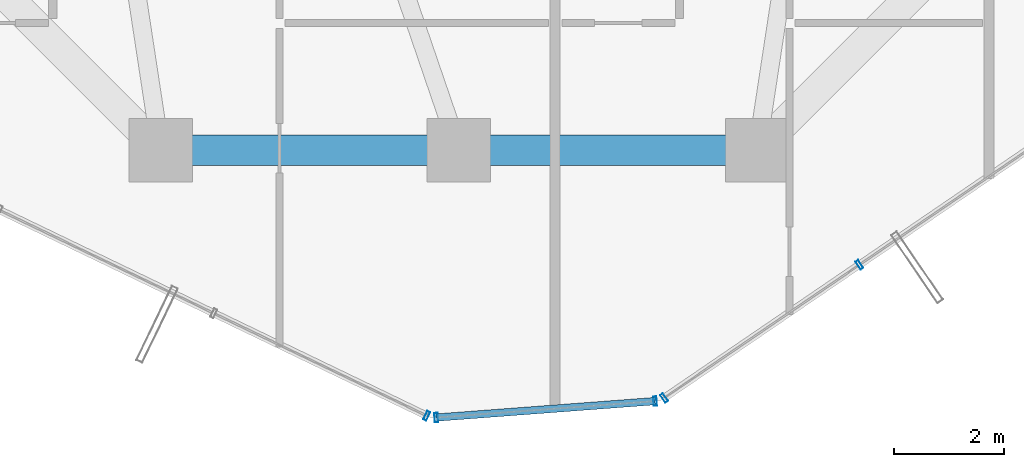
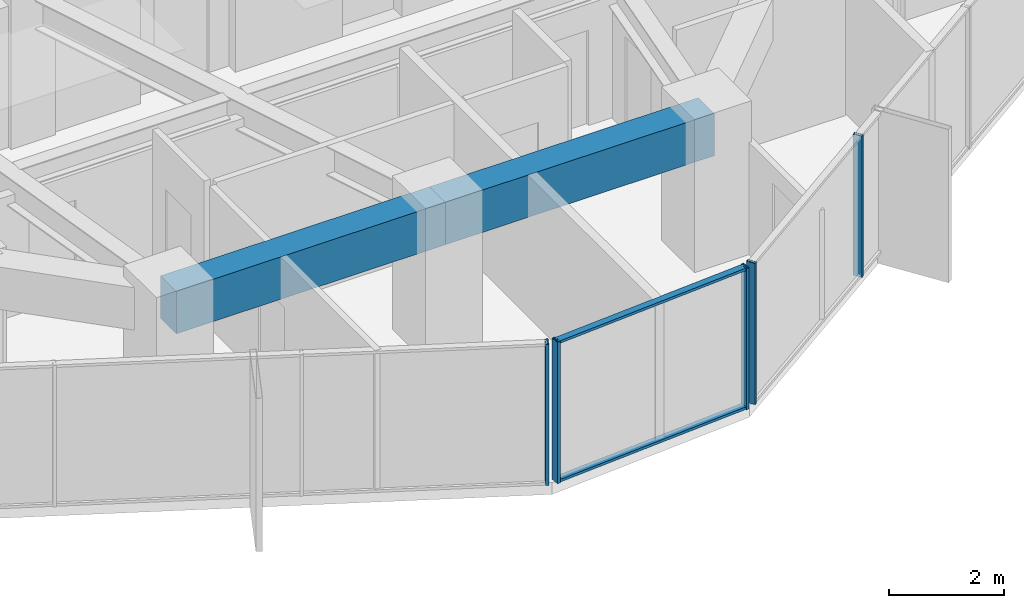
# One storey, part 7 of 35: 7 members, 2 beams, 3 elements without a shape of their own.
"""IFC4 building model written with IfcOpenShell, lengths in metres."""

from ifc_helpers import new_model, si_unit, direction, frame, origin, origin_2d, place, context, subcontext, project, spatial, rectangle, hollow_rectangle, extrude, source, transform, mapped, material, layer, layer_set, material_profile, profile_set, type_object, element, aggregate, save


model = new_model("IFC4")

# Units and contexts
model_context = context("Model", 3, precision=1e-05, world=origin(), true_north=direction((0.0, 1.0)))
body_context = subcontext(model_context, "Body", "Model", "MODEL_VIEW")
ifc_project = project(units=[si_unit("LENGTHUNIT", "METRE"), si_unit("AREAUNIT", "SQUARE_METRE"), si_unit("VOLUMEUNIT", "CUBIC_METRE"), si_unit("PLANEANGLEUNIT", "RADIAN"), si_unit("MASSUNIT", "GRAM", prefix="KILO")], contexts=[model_context])

# Site, building, storey
site_placement = place(None, origin())
site = spatial("IfcSite", under=ifc_project, at=site_placement, CompositionType="ELEMENT")
building_placement = place(site_placement, origin())
building = spatial("IfcBuilding", under=site, at=building_placement, Name="Veraguas Prism Commons", CompositionType="ELEMENT")
storey_placement = place(building_placement, frame((0.0, 0.0, 142.5)))
storey = spatial("IfcBuildingStorey", under=building, at=storey_placement, Name="L40", CompositionType="ELEMENT", Elevation=142.5)

# Beams
ifc_material_1 = material(Name="Concrete C50/60", Category="concrete")
ifc_material_profile_1 = material_profile(ifc_material_1, rectangle(XDim=0.550048828125, YDim=0.89990234375, at=origin_2d()), Name="RC550X900")
ifc_profile_set_1 = profile_set([ifc_material_profile_1], Name="Concrete C50/60")
beam_type = type_object("IfcBeamType", Name="Perimeter Spandrel Lower RC 550x900", PredefinedType="SPANDREL", material=ifc_profile_set_1)
for number, where, z_axis, x_axis, name in (
    (1, (18.60009765625, 7.800048828125, 2.550048828125), (1.0, 0.0, 0.0), (0.0, 1.0, 0.0), "Perimeter Spandrel Beam L40-SP10"),
    (2, (24.0, 7.800048828125, 2.550048828125), (1.0, 0.0, 0.0), (0.0, 1.0, 0.0), "Perimeter Spandrel Beam L40-SP11"),
):
    element("IfcBeam", number, at=place(storey_placement, frame(where, z_axis=z_axis, x_axis=x_axis)), inside=storey, type_object=beam_type, Name=name, PredefinedType="SPANDREL", context=body_context, shape_type="SweptSolid", body=[
        extrude(rectangle(XDim=0.550048828125, YDim=0.89990234375, at=origin_2d()), origin(), (0.0, 0.0, 1.0), 5.39990234375),
    ])

# Curtain wall, member
ifc_material_2 = material(Name="Anodised aluminium EN AW-6063 T6", Category="aluminium")
ifc_layer = layer(ifc_material_2, 0.169921875, Name="Unitised Flush Curtain Wall Zone 2", Category="aluminium")
ifc_layer_set = layer_set([ifc_layer], Name="Anodised aluminium EN AW-6063 T6")
curtain_wall_type = type_object("IfcCurtainWallType", Name="Unitised Flush Curtain Wall Zone 2", PredefinedType="NOTDEFINED", material=ifc_layer_set)
curtain_wall_1_placement = place(storey_placement, origin())
curtain_wall_1 = element("IfcCurtainWall", 3, at=curtain_wall_1_placement, inside=storey, type_object=curtain_wall_type, Name="Tower Facade Curtain Wall L40-F4", PredefinedType="NOTDEFINED")
ifc_material_profile_2 = material_profile(ifc_material_2, hollow_rectangle(XDim=0.06005859375, YDim=0.169921875, WallThickness=0.00390625, at=origin_2d()), Name="AL60X170X4")
ifc_profile_set_2 = profile_set([ifc_material_profile_2], Name="Anodised aluminium EN AW-6063 T6")
member_type_1 = type_object("IfcMemberType", Name="Curtain Wall Mullion Lower AL 60x170x4", PredefinedType="MULLION", material=ifc_profile_set_2)
shared_shape_1 = source(origin(), body_context, "Body", "SweptSolid", [
    extrude(hollow_rectangle(XDim=0.06005859375, YDim=0.169921875, WallThickness=0.00390625, at=origin_2d()), origin(), (0.0, 0.0, 1.0), 3.0),
])
member_1_placement = place(storey_placement, frame((23.419189453125, 2.9912109375, 0.0), z_axis=(0.0, 0.0, 1.0), x_axis=(0.901075507561, -0.433662229937, 0.0)))
member_1 = element("IfcMember", 4, at=member_1_placement, type_object=member_type_1, Name="CW-Z2 Mullion 5", PredefinedType="MULLION", context=body_context, shape_type="MappedRepresentation", body=[
    mapped(shared_shape_1, transform((0.0, 0.0, 0.0), scale=1.0)),
])
aggregate(curtain_wall_1, [member_1])

# Curtain wall, members
curtain_wall_2_placement = place(storey_placement, origin())
curtain_wall_2 = element("IfcCurtainWall", 5, at=curtain_wall_2_placement, inside=storey, type_object=curtain_wall_type, Name="Tower Facade Curtain Wall L40-F5", PredefinedType="NOTDEFINED")
member_2_placement = place(storey_placement, frame((27.716064453125, 3.314208984375, 0.0), z_axis=(0.0, 0.0, 1.0), x_axis=(0.826097310956, 0.56352749075, 0.0)))
member_2 = element("IfcMember", 6, at=member_2_placement, type_object=member_type_1, Name="CW-Z2 Mullion 1", PredefinedType="MULLION", context=body_context, shape_type="MappedRepresentation", body=[
    mapped(shared_shape_1, transform((0.0, 0.0, 0.0), scale=1.0)),
])
member_3_placement = place(storey_placement, frame((31.25048828125, 5.725341796875, 0.0), z_axis=(0.0, 0.0, 1.0), x_axis=(0.826097310956, 0.56352749075, 0.0)))
member_3 = element("IfcMember", 7, at=member_3_placement, type_object=member_type_1, Name="CW-Z2 Mullion 2", PredefinedType="MULLION", context=body_context, shape_type="MappedRepresentation", body=[
    mapped(shared_shape_1, transform((0.0, 0.0, 0.0), scale=1.0)),
])
aggregate(curtain_wall_2, [member_2, member_3])

curtain_wall_3_placement = place(storey_placement, origin())
curtain_wall_3 = element("IfcCurtainWall", 8, at=curtain_wall_3_placement, inside=storey, type_object=curtain_wall_type, Name="Chamfer Curtain Wall L40-C5", PredefinedType="NOTDEFINED")
member_4_placement = place(storey_placement, frame((23.58984375, 2.958984375, 0.0), z_axis=(0.0, 0.0, 1.0), x_axis=(0.997185133525, 0.074978726826, 0.0)))
member_4 = element("IfcMember", 9, at=member_4_placement, type_object=member_type_1, Name="CW-Z2 Mullion 1", PredefinedType="MULLION", context=body_context, shape_type="MappedRepresentation", body=[
    mapped(shared_shape_1, transform((0.0, 0.0, 0.0), scale=1.0)),
])
member_5_placement = place(storey_placement, frame((27.552001953125, 3.2568359375, 0.0), z_axis=(0.0, 0.0, 1.0), x_axis=(0.997185133525, 0.074978726826, 0.0)))
member_5 = element("IfcMember", 10, at=member_5_placement, type_object=member_type_1, Name="CW-Z2 Mullion 2", PredefinedType="MULLION", context=body_context, shape_type="MappedRepresentation", body=[
    mapped(shared_shape_1, transform((0.0, 0.0, 0.0), scale=1.0)),
])
ifc_material_profile_3 = material_profile(ifc_material_2, hollow_rectangle(XDim=0.054931640625, YDim=0.135009765625, WallThickness=0.0029296875, at=origin_2d()), Name="AL55X135X3")
ifc_profile_set_3 = profile_set([ifc_material_profile_3], Name="Anodised aluminium EN AW-6063 T6")
member_type_2 = type_object("IfcMemberType", Name="Curtain Wall Transom Standard AL 55x135x3", PredefinedType="USERDEFINED", material=ifc_profile_set_3)
shared_shape_2 = source(origin(), body_context, "Body", "SweptSolid", [
    extrude(hollow_rectangle(XDim=0.054931640625, YDim=0.135009765625, WallThickness=0.0029296875, at=origin_2d()), origin(), (0.0, 0.0, 1.0), 3.973388671875),
])
member_6_placement = place(storey_placement, frame((23.58984375, 2.958984375, 0.027587890625), z_axis=(0.99718634917, 0.07496255752, 0.0), x_axis=(0.0, 0.0, 1.0)))
member_6 = element("IfcMember", 11, at=member_6_placement, type_object=member_type_2, Name="CW-Z2 Transom 1", ObjectType="TRANSOM", PredefinedType="USERDEFINED", context=body_context, shape_type="MappedRepresentation", body=[
    mapped(shared_shape_2, transform((0.0, 0.0, 0.0), scale=1.0)),
])
member_7_placement = place(storey_placement, frame((23.58984375, 2.958984375, 2.972412109375), z_axis=(0.99718634917, 0.07496255752, 0.0), x_axis=(0.0, 0.0, 1.0)))
member_7 = element("IfcMember", 12, at=member_7_placement, type_object=member_type_2, Name="CW-Z2 Transom 2", ObjectType="TRANSOM", PredefinedType="USERDEFINED", context=body_context, shape_type="MappedRepresentation", body=[
    mapped(shared_shape_2, transform((0.0, 0.0, 0.0), scale=1.0)),
])
aggregate(curtain_wall_3, [member_4, member_5, member_6, member_7])

save(model, "model.ifc")
